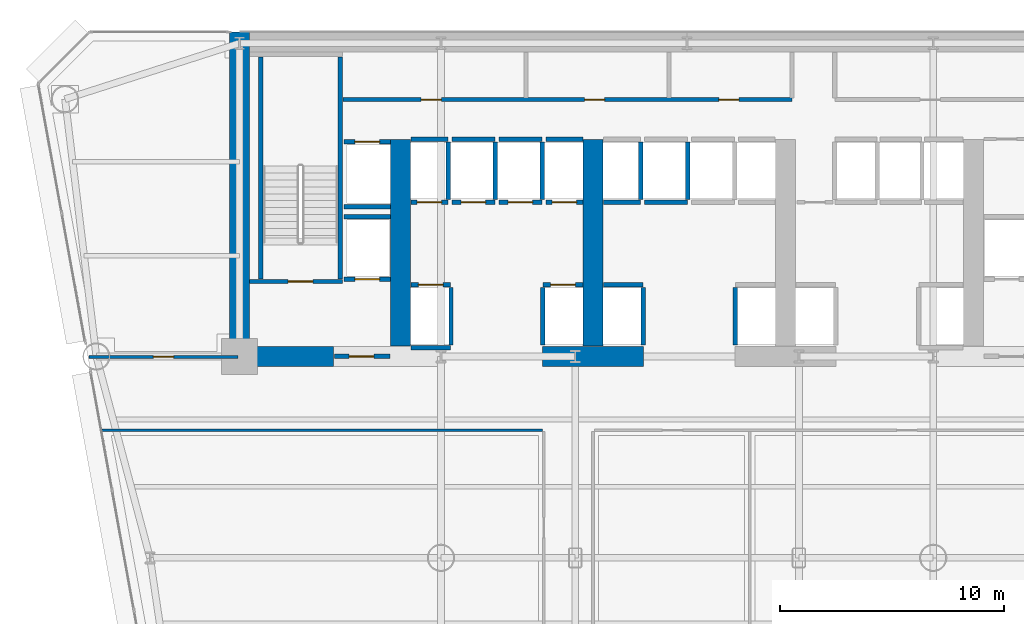
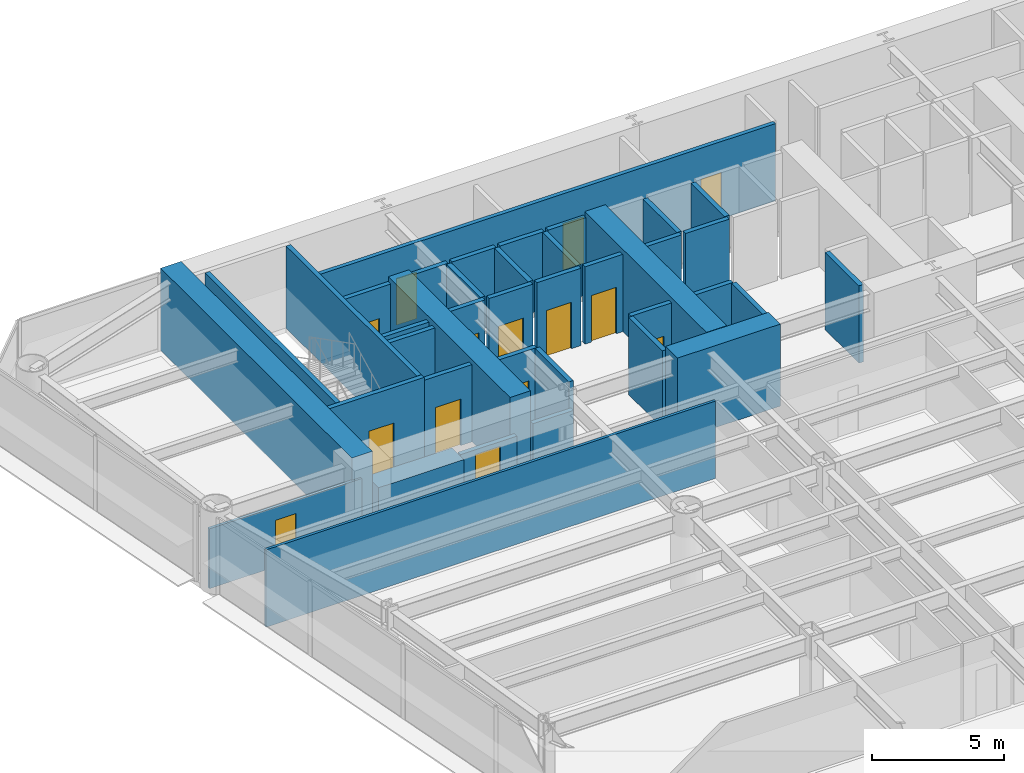
# One storey, part 8 of 14: 39 walls, 14 doors, 14 openings.
"""IFC4 building model written with IfcOpenShell, lengths in metres."""

import ifcopenshell
import ifcopenshell.guid

model = None  # the IFC model being written
_history = None  # IfcOwnerHistory: only IFC2X3 demands one
_inside = {}  # id of a spatial element -> (the spatial element, [elements in it])
_under = {}  # id of a project, library or spatial element -> (it, [spatial elements below it])
_declared = {}  # id of a project -> (the project, [libraries it declares])
_typed = {}  # id of a type object -> (the type object, [elements of that type])
_made_of = {}  # id of a material, layer set ... -> (it, [elements and type objects made of it])


def new_model(schema):
    """Start an empty IFC model of exactly this schema.

    Asked for "IFC4X3", IfcOpenShell would pick the latest addendum, in which some entities
    have other attributes; the version numbers below select the first issue.
    IFC2X3 requires an IfcOwnerHistory on every rooted entity: one is made here for all.
    """
    global model, _history
    if schema == "IFC4X3":
        model = ifcopenshell.file(schema_version=(4, 3, 0, 0))
    else:
        model = ifcopenshell.file(schema=schema)
    _inside.clear()
    _under.clear()
    _declared.clear()
    _typed.clear()
    _made_of.clear()
    _history = None
    if model.schema == "IFC2X3":
        org = make("IfcOrganization", Name="unknown")
        user = make(
            "IfcPersonAndOrganization",
            ThePerson=make("IfcPerson", FamilyName="unknown"),
            TheOrganization=org,
        )
        app = make(
            "IfcApplication",
            ApplicationDeveloper=org,
            Version="unknown",
            ApplicationFullName="unknown",
            ApplicationIdentifier="unknown",
        )
        _history = make(
            "IfcOwnerHistory",
            OwningUser=user,
            OwningApplication=app,
            ChangeAction="ADDED",
            CreationDate=0,
        )
    return model


def make(cls, **values):
    """One entity of the class cls with the attributes given. An attribute that is None is left unset."""
    return model.create_entity(
        cls, **{name: value for name, value in values.items() if value is not None}
    )


def rooted(cls, **values):
    """An entity with a GlobalId (a new one), such as an element, a storey or a relation."""
    return make(cls, GlobalId=ifcopenshell.guid.new(), OwnerHistory=_history, **values)


def si_unit(unit_type, name, prefix=None):
    """IfcSIUnit, for example si_unit("LENGTHUNIT", "METRE", prefix="MILLI")."""
    return make("IfcSIUnit", UnitType=unit_type, Prefix=prefix, Name=name)


def assignment(units):
    """IfcUnitAssignment: the units of a project."""
    return None if units is None else make("IfcUnitAssignment", Units=units)


def point(xyz):
    """IfcCartesianPoint."""
    return None if xyz is None else make("IfcCartesianPoint", Coordinates=xyz)


def direction(xyz):
    """IfcDirection."""
    return None if xyz is None else make("IfcDirection", DirectionRatios=xyz)


def frame(location, z_axis=None, x_axis=None):
    """IfcAxis2Placement3D, a coordinate frame: its origin and axes. An axis left out is left unset."""
    return make(
        "IfcAxis2Placement3D",
        Location=point(location),
        Axis=direction(z_axis),
        RefDirection=direction(x_axis),
    )


def frame_2d(location, x_axis=None):
    """IfcAxis2Placement2D, a coordinate frame in the plane: its origin and x axis."""
    return make(
        "IfcAxis2Placement2D", Location=point(location), RefDirection=direction(x_axis)
    )


def origin():
    """The frame at (0, 0, 0) with its axes left unset."""
    return frame((0.0, 0.0, 0.0))


def place(relative_to, where):
    """IfcLocalPlacement: puts the frame where relative to a parent placement (None: the world)."""
    return make(
        "IfcLocalPlacement", PlacementRelTo=relative_to, RelativePlacement=where
    )


def context(
    kind, dimensions, precision=None, world=None, true_north=None, identifier=None
):
    """IfcGeometricRepresentationContext, for example the 3D "Model" context."""
    return make(
        "IfcGeometricRepresentationContext",
        ContextIdentifier=identifier,
        ContextType=kind,
        CoordinateSpaceDimension=dimensions,
        Precision=precision,
        WorldCoordinateSystem=world,
        TrueNorth=true_north,
    )


def subcontext(parent, identifier, kind, view, scale=None):
    """IfcGeometricRepresentationSubContext, for example "Body" below "Model"."""
    return make(
        "IfcGeometricRepresentationSubContext",
        ContextIdentifier=identifier,
        ContextType=kind,
        ParentContext=parent,
        TargetScale=scale,
        TargetView=view,
    )


def project(units=None, contexts=None):
    """IfcProject with its units and contexts."""
    return rooted(
        "IfcProject",
        Name="project",
        RepresentationContexts=contexts,
        UnitsInContext=assignment(units),
    )


def spatial(cls, under=None, at=None, **own):
    """A site, building, storey or space (cls), placed at a placement, below another one or the project."""
    s = rooted(cls, ObjectPlacement=at, **own)
    if under is not None:
        _under.setdefault(under.id(), (under, []))[1].append(s)
    return s


def profile(cls, at=None, kind="AREA", **sizes):
    """A parametric profile (cls). Its sizes go by their IFC names, for example OverallWidth=200.0."""
    return make(cls, ProfileType=kind, Position=at, **sizes)


def rectangle(**sizes):
    """IfcRectangleProfileDef."""
    return profile("IfcRectangleProfileDef", **sizes)


def extrude(swept, where, along, depth):
    """IfcExtrudedAreaSolid: the profile swept, set in the frame where, extruded along a direction by depth."""
    return make(
        "IfcExtrudedAreaSolid",
        SweptArea=swept,
        Position=where,
        ExtrudedDirection=direction(along),
        Depth=depth,
    )


def shape(context_of_items, identifier, shape_type, items):
    """IfcShapeRepresentation: the items that make up one representation, for example the "Body"."""
    return make(
        "IfcShapeRepresentation",
        ContextOfItems=context_of_items,
        RepresentationIdentifier=identifier,
        RepresentationType=shape_type,
        Items=items,
    )


def source(mapping_origin, context_of_items, identifier, shape_type, items):
    """IfcRepresentationMap: a shape defined once, which mapped items show again and again."""
    return make(
        "IfcRepresentationMap",
        MappingOrigin=mapping_origin,
        MappedRepresentation=shape(context_of_items, identifier, shape_type, items),
    )


def transform(
    local_origin,
    x_axis=None,
    y_axis=None,
    z_axis=None,
    scale=None,
    scale2=None,
    scale3=None,
    uniform=True,
):
    """IfcCartesianTransformationOperator3D, or its non-uniform kind. x_axis, y_axis, z_axis: its Axis1, 2, 3."""
    if uniform:
        return make(
            "IfcCartesianTransformationOperator3D",
            Axis1=direction(x_axis),
            Axis2=direction(y_axis),
            LocalOrigin=point(local_origin),
            Scale=scale,
            Axis3=direction(z_axis),
        )
    return make(
        "IfcCartesianTransformationOperator3DnonUniform",
        Axis1=direction(x_axis),
        Axis2=direction(y_axis),
        LocalOrigin=point(local_origin),
        Scale=scale,
        Axis3=direction(z_axis),
        Scale2=scale2,
        Scale3=scale3,
    )


def mapped(mapping_source, mapping_target):
    """IfcMappedItem: shows the shape of a source again, moved by a transform."""
    return make(
        "IfcMappedItem", MappingSource=mapping_source, MappingTarget=mapping_target
    )


def material(Name=None, Category=None):
    """IfcMaterial."""
    return make("IfcMaterial", Name=Name, Category=Category)


def layer(
    of_material, thickness, ventilated=None, Name=None, Category=None, Priority=None
):
    """IfcMaterialLayer: one layer of a wall or slab, of a material (None: an air gap)."""
    return make(
        "IfcMaterialLayer",
        Material=of_material,
        LayerThickness=thickness,
        IsVentilated=ventilated,
        Name=Name,
        Category=Category,
        Priority=Priority,
    )


def layer_set(layers, Name=None):
    """IfcMaterialLayerSet."""
    return make("IfcMaterialLayerSet", MaterialLayers=layers, LayerSetName=Name)


def made_of(thing, what):
    """Note that an element or type object is made of a material, layer set ...; save() writes the relation."""
    if what is not None:
        _made_of.setdefault(what.id(), (what, []))[1].append(thing)
    return thing


def type_object(cls, material=None, **own):
    """A type object (cls), such as IfcWallType, which elements share."""
    return made_of(rooted(cls, **own), material)


def element(
    cls,
    number,
    at=None,
    inside=None,
    cuts=None,
    type_object=None,
    material=None,
    context=None,
    identifier="Body",
    shape_type=None,
    held_by="IfcProductDefinitionShape",
    body=None,
    shapes=None,
    **own,
):
    """One element of the class cls, such as IfcWall. Its Tag is "e" and its number.

    at: its placement. inside: the storey or other place that contains it. cuts: it is an
    opening in that element (IfcRelVoidsElement). A single representation is given by context,
    identifier, shape_type and body (its items); several are given by shapes. held_by: the class
    of the entity that holds the representations. save() writes the other relations.
    """
    e = rooted(cls, Tag="e%d" % number, ObjectPlacement=at, **own)
    if body is not None:
        shapes = [shape(context, identifier, shape_type, body)]
    if shapes is not None:
        e.Representation = make(held_by, Representations=shapes)
    if inside is not None:
        _inside.setdefault(inside.id(), (inside, []))[1].append(e)
    if cuts is not None:
        rooted(
            "IfcRelVoidsElement", RelatingBuildingElement=cuts, RelatedOpeningElement=e
        )
    if type_object is not None:
        _typed.setdefault(type_object.id(), (type_object, []))[1].append(e)
    return made_of(e, material)


def fill(opening, filler):
    """IfcRelFillsElement: the door or window that sits in an opening."""
    return rooted(
        "IfcRelFillsElement",
        RelatingOpeningElement=opening,
        RelatedBuildingElement=filler,
    )


def aggregate(whole, parts):
    """IfcRelAggregates: a whole, such as a stair, and the parts it consists of."""
    return rooted("IfcRelAggregates", RelatingObject=whole, RelatedObjects=parts)


def save(model, path):
    """Write the relations noted so far, then the file.

    IfcRelAggregates (storeys below a building ...), IfcRelContainedInSpatialStructure (elements
    in a storey), IfcRelDefinesByType, IfcRelAssociatesMaterial and IfcRelDeclares: one each for
    every whole, place, type object, material and project.
    """
    for whole, parts in _under.values():
        aggregate(whole, parts)
    for where, things in _inside.values():
        rooted(
            "IfcRelContainedInSpatialStructure",
            RelatedElements=things,
            RelatingStructure=where,
        )
    for kind, things in _typed.values():
        rooted("IfcRelDefinesByType", RelatedObjects=things, RelatingType=kind)
    for what, things in _made_of.values():
        rooted("IfcRelAssociatesMaterial", RelatedObjects=things, RelatingMaterial=what)
    for by, libraries in _declared.values():
        rooted("IfcRelDeclares", RelatingContext=by, RelatedDefinitions=libraries)
    model.write(path)


model = new_model("IFC4")

# Units and contexts
model_context = context("Model", 3, precision=1e-05, world=origin(), true_north=direction((0.0, 1.0)))
body_context = subcontext(model_context, "Body", "Model", "MODEL_VIEW")
ifc_project = project(units=[si_unit("LENGTHUNIT", "METRE"), si_unit("AREAUNIT", "SQUARE_METRE"), si_unit("VOLUMEUNIT", "CUBIC_METRE"), si_unit("PLANEANGLEUNIT", "RADIAN"), si_unit("MASSUNIT", "GRAM", prefix="KILO")], contexts=[model_context])

# Site, building, storey
site_placement = place(None, origin())
site = spatial("IfcSite", under=ifc_project, at=site_placement, CompositionType="ELEMENT")
building_placement = place(site_placement, origin())
building = spatial("IfcBuilding", under=site, at=building_placement, Name="Vaeldorn Concourse Tower", CompositionType="ELEMENT")
storey_placement = place(building_placement, frame((0.0, 0.0, 41.60009765625)))
storey = spatial("IfcBuildingStorey", under=building, at=storey_placement, Name="L10", CompositionType="ELEMENT", Elevation=41.60009765625)

# Walls
ifc_material_1 = material(Name="Concrete C60/75", Category="concrete")
ifc_layer_1 = layer(ifc_material_1, 0.89990234375)
ifc_layer_set_1 = layer_set([ifc_layer_1], Name="Concrete C60/75")
wall_type_1 = type_object("IfcWallType", Name="WL-CORE-900", PredefinedType="SHEAR", material=ifc_layer_set_1)
wall_1_placement = place(storey_placement, frame((14.0, 36.5, 0.0), z_axis=(0.0, 0.0, 1.0), x_axis=(0.0, 1.0, 0.0)))
element("IfcWall", 1, at=wall_1_placement, inside=storey, type_object=wall_type_1, Name="Rear Core Shear Wall L10 W1", PredefinedType="SHEAR", context=body_context, shape_type="SweptSolid", body=[
    extrude(rectangle(XDim=14.5, YDim=0.89990234375, at=frame_2d((7.25, 0.0))), origin(), (0.0, 0.0, 1.0), 3.7998046875),
])
wall_2_placement = place(storey_placement, frame((14.469970703125, 36.5, 0.0), z_axis=(0.0, 0.0, 1.0), x_axis=(1.0, 0.0, 0.0)))
element("IfcWall", 2, at=wall_2_placement, inside=storey, type_object=wall_type_1, Name="Rear Core Shear Wall L10 S1", PredefinedType="SHEAR", context=body_context, shape_type="SweptSolid", body=[
    extrude(rectangle(XDim=3.72998046875, YDim=0.89990234375, at=frame_2d((1.864990234375, 0.0))), origin(), (0.0, 0.0, 1.0), 2.3798828125),
])
wall_3_placement = place(storey_placement, frame((27.550048828125, 36.5, 0.0), z_axis=(0.0, 0.0, 1.0), x_axis=(1.0, 0.0, 0.0)))
element("IfcWall", 3, at=wall_3_placement, inside=storey, type_object=wall_type_1, Name="Rear Core Shear Wall L10 S2", PredefinedType="SHEAR", context=body_context, shape_type="SweptSolid", body=[
    extrude(rectangle(XDim=4.5, YDim=0.89990234375, at=frame_2d((2.25, 0.0))), origin(), (0.0, 0.0, 1.0), 3.7998046875),
])
for number, where, z_axis, x_axis, name in (
    (4, (21.199951171875, 36.969970703125, 0.0), (0.0, 0.0, 1.0), (0.0, 1.0, 0.0), "Rear Core Shear Wall L10 M1"),
    (5, (29.800048828125, 36.969970703125, 0.0), (0.0, 0.0, 1.0), (0.0, 1.0, 0.0), "Rear Core Shear Wall L10 M2"),
):
    element("IfcWall", number, at=place(storey_placement, frame(where, z_axis=z_axis, x_axis=x_axis)), inside=storey, type_object=wall_type_1, Name=name, PredefinedType="SHEAR", context=body_context, shape_type="SweptSolid", body=[
        extrude(rectangle(XDim=9.22998046875, YDim=0.89990234375, at=frame_2d((4.614990234375, 0.0))), origin(), (0.0, 0.0, 1.0), 3.7998046875),
    ])
ifc_material_2 = material(Name="Gypsum Board Partition", Category="gypsum")
ifc_layer_2 = layer(ifc_material_2, 0.1201171875)
ifc_layer_set_2 = layer_set([ifc_layer_2], Name="Gypsum Board Partition")
wall_type_2 = type_object("IfcWallType", Name="WL-PART-120", PredefinedType="PARTITIONING", material=ifc_layer_set_2)
wall_4_placement = place(storey_placement, frame((7.859130859375, 33.199951171875, 0.0), z_axis=(0.0, 0.0, 1.0), x_axis=(1.0, 0.0, 0.0)))
element("IfcWall", 6, at=wall_4_placement, inside=storey, type_object=wall_type_2, Name="Interior Wall PW-L10-C2SW", PredefinedType="PARTITIONING", context=body_context, shape_type="SweptSolid", body=[
    extrude(rectangle(XDim=19.680908203125, YDim=0.1201171875, at=frame_2d((9.84033203125, 0.0))), origin(), (0.0, 0.0, 1.0), 3.579833984375),
])

# Wall, opening, door
wall_5_placement = place(storey_placement, frame((7.26806640625, 36.47998046875, 0.0), z_axis=(0.0, 0.0, 1.0), x_axis=(1.0, 0.0, 0.0)))
wall_5 = element("IfcWall", 7, at=wall_5_placement, inside=storey, type_object=wall_type_2, Name="Interior Wall PW-L10-NWS", PredefinedType="PARTITIONING", context=body_context, shape_type="SweptSolid", body=[
    extrude(rectangle(XDim=6.671875, YDim=0.1201171875, at=frame_2d((3.3359375, 0.0))), origin(), (0.0, 0.0, 1.0), 2.77001953125),
])
opening_1_placement = place(wall_5_placement, frame((2.885986328125, 0.0, 0.0)))
opening_1 = element("IfcOpeningElement", 8, at=opening_1_placement, cuts=wall_5, Name="Opening D-03", PredefinedType="OPENING", context=body_context, shape_type="SweptSolid", body=[
    extrude(rectangle(XDim=0.89990234375, YDim=2.14990234375, at=frame_2d((0.449951171875, 1.074951171875))), frame((0.0, 0.070068359375, 0.0), z_axis=(0.0, -1.0, 0.0), x_axis=(1.0, 0.0, 0.0)), (0.0, 0.0, 1.0), 0.14013671875),
])
ifc_material_3 = material(Name="Acoustic Bronze-Framed Glass Door", Category="glass")
door_type_1 = type_object("IfcDoorType", Name="DR-INT-900", OperationType="NOTDEFINED", PredefinedType="DOOR", material=ifc_material_3)
shared_shape_1 = source(origin(), body_context, "Body", "SweptSolid", [
    extrude(rectangle(XDim=0.89990234375, YDim=2.14990234375, at=frame_2d((0.449951171875, 1.074951171875))), frame((0.0, 0.02490234375, 0.0), z_axis=(0.0, -1.0, 0.0), x_axis=(1.0, 0.0, 0.0)), (0.0, 0.0, 1.0), 0.050048828125),
])
door_1_placement = place(opening_1_placement, origin())
door_1 = element("IfcDoor", 9, at=door_1_placement, inside=storey, type_object=door_type_1, Name="Interior Door DR-L10-NWC", OperationType="SINGLE_SWING_LEFT", OverallHeight=2.14990234375, OverallWidth=0.89990234375, PredefinedType="DOOR", context=body_context, shape_type="MappedRepresentation", body=[
    mapped(shared_shape_1, transform((0.0, 0.0, 0.0), scale=1.0)),
])
fill(opening_1, door_1)

# Wall, openings, doors
ifc_layer_3 = layer(ifc_material_2, 0.179931640625)
ifc_layer_set_3 = layer_set([ifc_layer_3], Name="Gypsum Board Partition")
wall_type_3 = type_object("IfcWallType", Name="WL-PLUMB-180", PredefinedType="PLUMBINGWALL", material=ifc_layer_set_3)
wall_6_placement = place(storey_placement, frame((18.6201171875, 47.97998046875, 0.0), z_axis=(0.0, 0.0, 1.0), x_axis=(1.0, 0.0, 0.0)))
wall_6 = element("IfcWall", 10, at=wall_6_placement, inside=storey, type_object=wall_type_3, Name="Interior Wall CW-L10-NS1W", PredefinedType="PLUMBINGWALL", context=body_context, shape_type="SweptSolid", body=[
    extrude(rectangle(XDim=20.059814453125, YDim=0.179931640625, at=frame_2d((10.02978515625, 0.0))), origin(), (0.0, 0.0, 1.0), 3.579833984375),
])
opening_2_placement = place(wall_6_placement, frame((3.5, 0.0, 0.0)))
opening_2 = element("IfcOpeningElement", 11, at=opening_2_placement, cuts=wall_6, Name="Opening D-03", PredefinedType="OPENING", context=body_context, shape_type="SweptSolid", body=[
    extrude(rectangle(XDim=0.89990234375, YDim=2.14990234375, at=frame_2d((0.449951171875, 1.074951171875))), frame((0.0, 0.10009765625, 0.0), z_axis=(0.0, -1.0, 0.0), x_axis=(1.0, 0.0, 0.0)), (0.0, 0.0, 1.0), 0.199951171875),
])
opening_3_placement = place(wall_6_placement, frame((10.800048828125, 0.0, 0.0)))
opening_3 = element("IfcOpeningElement", 12, at=opening_3_placement, cuts=wall_6, Name="Opening D-03", PredefinedType="OPENING", context=body_context, shape_type="SweptSolid", body=[
    extrude(rectangle(XDim=0.89990234375, YDim=2.14990234375, at=frame_2d((0.449951171875, 1.074951171875))), frame((0.0, 0.10009765625, 0.0), z_axis=(0.0, -1.0, 0.0), x_axis=(1.0, 0.0, 0.0)), (0.0, 0.0, 1.0), 0.199951171875),
])
opening_4_placement = place(wall_6_placement, frame((16.800048828125, 0.0, 0.0)))
opening_4 = element("IfcOpeningElement", 13, at=opening_4_placement, cuts=wall_6, Name="Opening D-03", PredefinedType="OPENING", context=body_context, shape_type="SweptSolid", body=[
    extrude(rectangle(XDim=0.89990234375, YDim=2.14990234375, at=frame_2d((0.449951171875, 1.074951171875))), frame((0.0, 0.10009765625, 0.0), z_axis=(0.0, -1.0, 0.0), x_axis=(1.0, 0.0, 0.0)), (0.0, 0.0, 1.0), 0.199951171875),
])
door_2_placement = place(opening_2_placement, origin())
door_2 = element("IfcDoor", 14, at=door_2_placement, inside=storey, type_object=door_type_1, Name="Interior Door DR-L10-CS1", OperationType="SINGLE_SWING_LEFT", OverallHeight=2.14990234375, OverallWidth=0.89990234375, PredefinedType="DOOR", context=body_context, shape_type="MappedRepresentation", body=[
    mapped(shared_shape_1, transform((0.0, 0.0, 0.0), scale=1.0)),
])
fill(opening_2, door_2)
door_3_placement = place(opening_3_placement, origin())
door_3 = element("IfcDoor", 15, at=door_3_placement, inside=storey, type_object=door_type_1, Name="Interior Door DR-L10-CS2", OperationType="SINGLE_SWING_RIGHT", OverallHeight=2.14990234375, OverallWidth=0.89990234375, PredefinedType="DOOR", context=body_context, shape_type="MappedRepresentation", body=[
    mapped(shared_shape_1, transform((0.0, 0.0, 0.0), scale=1.0)),
])
fill(opening_3, door_3)
door_4_placement = place(opening_4_placement, origin())
door_4 = element("IfcDoor", 16, at=door_4_placement, inside=storey, type_object=door_type_1, Name="Interior Door DR-L10-CS3", OperationType="SINGLE_SWING_LEFT", OverallHeight=2.14990234375, OverallWidth=0.89990234375, PredefinedType="DOOR", context=body_context, shape_type="MappedRepresentation", body=[
    mapped(shared_shape_1, transform((0.0, 0.0, 0.0), scale=1.0)),
])
fill(opening_4, door_4)

# Wall, opening, door
ifc_material_4 = material(Name="Concrete C50/60", Category="concrete")
ifc_layer_4 = layer(ifc_material_4, 0.199951171875)
ifc_layer_set_4 = layer_set([ifc_layer_4], Name="Concrete C50/60")
wall_type_4 = type_object("IfcWallType", Name="WL-SHAFT-200", PredefinedType="SOLIDWALL", material=ifc_layer_set_4)
wall_7_placement = place(storey_placement, frame((14.449951171875, 39.85009765625, 0.0), z_axis=(0.0, 0.0, 1.0), x_axis=(1.0, 0.0, 0.0)))
wall_7 = element("IfcWall", 17, at=wall_7_placement, inside=storey, type_object=wall_type_4, Name="Stair Shaft Wall CW-L10-ST-1-S", PredefinedType="SOLIDWALL", context=body_context, shape_type="SweptSolid", body=[
    extrude(rectangle(XDim=4.150146484375, YDim=0.199951171875, at=frame_2d((2.0751953125, 0.0))), origin(), (0.0, 0.0, 1.0), 3.7998046875),
])
opening_5_placement = place(wall_7_placement, frame((1.72509765625, 0.0, 0.0)))
opening_5 = element("IfcOpeningElement", 18, at=opening_5_placement, cuts=wall_7, Name="Opening D-01", PredefinedType="OPENING", context=body_context, shape_type="SweptSolid", body=[
    extrude(rectangle(XDim=1.10009765625, YDim=2.14990234375, at=frame_2d((0.550048828125, 1.074951171875))), frame((0.0, 0.10986328125, 0.0), z_axis=(0.0, -1.0, 0.0), x_axis=(1.0, 0.0, 0.0)), (0.0, 0.0, 1.0), 0.219970703125),
])
ifc_material_5 = material(Name="Fire-Rated Timber and Steel Leaf", Category="steel")
door_type_2 = type_object("IfcDoorType", Name="DR-FD60-1100", OperationType="NOTDEFINED", PredefinedType="DOOR", material=ifc_material_5)
shared_shape_2 = source(origin(), body_context, "Body", "SweptSolid", [
    extrude(rectangle(XDim=1.10009765625, YDim=2.14990234375, at=frame_2d((0.550048828125, 1.074951171875))), frame((0.0, 0.02490234375, 0.0), z_axis=(0.0, -1.0, 0.0), x_axis=(1.0, 0.0, 0.0)), (0.0, 0.0, 1.0), 0.050048828125),
])
door_5_placement = place(opening_5_placement, origin())
door_5 = element("IfcDoor", 19, at=door_5_placement, inside=storey, type_object=door_type_2, Name="Interior Door DR-L10-ST-1", OperationType="SINGLE_SWING_LEFT", OverallHeight=2.14990234375, OverallWidth=1.10009765625, PredefinedType="DOOR", context=body_context, shape_type="MappedRepresentation", body=[
    mapped(shared_shape_2, transform((0.0, 0.0, 0.0), scale=1.0)),
])
fill(opening_5, door_5)

# Walls
for number, where, z_axis, x_axis, name in (
    (20, (14.949951171875, 39.9599609375, 0.0), (0.0, 0.0, 1.0), (0.0, 1.0, 0.0), "Stair Shaft Wall CW-L10-ST-1-W"),
    (21, (18.5, 39.9599609375, 0.0), (0.0, 0.0, 1.0), (0.0, 1.0, 0.0), "Stair Shaft Wall CW-L10-ST-1-E"),
):
    element("IfcWall", number, at=place(storey_placement, frame(where, z_axis=z_axis, x_axis=x_axis)), inside=storey, type_object=wall_type_4, Name=name, PredefinedType="SOLIDWALL", context=body_context, shape_type="SweptSolid", body=[
        extrude(rectangle(XDim=9.929931640625, YDim=0.199951171875, at=frame_2d((4.96484375, 0.0))), origin(), (0.0, 0.0, 1.0), 3.7998046875),
    ])

# Wall, opening, door
wall_8_placement = place(storey_placement, frame((18.25, 36.5, 0.0), z_axis=(0.0, 0.0, 1.0), x_axis=(1.0, 0.0, 0.0)))
wall_8 = element("IfcWall", 22, at=wall_8_placement, inside=storey, type_object=wall_type_4, Name="Interior Wall CW-L10-FF1S", PredefinedType="SOLIDWALL", context=body_context, shape_type="SweptSolid", body=[
    extrude(rectangle(XDim=2.469970703125, YDim=0.199951171875, at=frame_2d((1.23486328125, 0.0))), origin(), (0.0, 0.0, 1.0), 2.369873046875),
])
opening_6_placement = place(wall_8_placement, frame((0.64990234375, 0.0, 0.0)))
opening_6 = element("IfcOpeningElement", 23, at=opening_6_placement, cuts=wall_8, Name="Opening D-01", PredefinedType="OPENING", context=body_context, shape_type="SweptSolid", body=[
    extrude(rectangle(XDim=1.10009765625, YDim=2.14990234375, at=frame_2d((0.550048828125, 1.074951171875))), frame((0.0, 0.10986328125, 0.0), z_axis=(0.0, -1.0, 0.0), x_axis=(1.0, 0.0, 0.0)), (0.0, 0.0, 1.0), 0.219970703125),
])
door_6_placement = place(opening_6_placement, origin())
door_6 = element("IfcDoor", 24, at=door_6_placement, inside=storey, type_object=door_type_2, Name="Interior Door DR-L10-FF1E", OperationType="SINGLE_SWING_RIGHT", OverallHeight=2.14990234375, OverallWidth=1.10009765625, PredefinedType="DOOR", context=body_context, shape_type="MappedRepresentation", body=[
    mapped(shared_shape_2, transform((0.0, 0.0, 0.0), scale=1.0)),
])
fill(opening_6, door_6)

wall_9_placement = place(storey_placement, frame((21.659912109375, 39.699951171875, 0.0), z_axis=(0.0, 0.0, 1.0), x_axis=(1.0, 0.0, 0.0)))
wall_9 = element("IfcWall", 25, at=wall_9_placement, inside=storey, type_object=wall_type_4, Name="Interior Wall CW-L10-LF-LF-01", PredefinedType="SOLIDWALL", context=body_context, shape_type="SweptSolid", body=[
    extrude(rectangle(XDim=1.77001953125, YDim=0.199951171875, at=frame_2d((0.885009765625, 0.0))), origin(), (0.0, 0.0, 1.0), 3.579833984375),
])
opening_7_placement = place(wall_9_placement, frame((0.3349609375, 0.0, 0.0)))
opening_7 = element("IfcOpeningElement", 26, at=opening_7_placement, cuts=wall_9, Name="Opening LD-1", PredefinedType="OPENING", context=body_context, shape_type="SweptSolid", body=[
    extrude(rectangle(XDim=1.10009765625, YDim=2.14990234375, at=frame_2d((0.550048828125, 1.074951171875))), frame((0.0, 0.10986328125, 0.0), z_axis=(0.0, -1.0, 0.0), x_axis=(1.0, 0.0, 0.0)), (0.0, 0.0, 1.0), 0.219970703125),
])
ifc_material_6 = material(Name="Anodised Bronze Aluminium", Category="aluminium")
door_type_3 = type_object("IfcDoorType", Name="DR-LIFT-SLIDE-1100", OperationType="DOUBLE_DOOR_SLIDING", PredefinedType="DOOR", material=ifc_material_6)
door_7_placement = place(opening_7_placement, origin())
door_7 = element("IfcDoor", 27, at=door_7_placement, inside=storey, type_object=door_type_3, Name="Lift Landing Door LD-L10-LF-01", OperationType="DOUBLE_DOOR_SLIDING", OverallHeight=2.14990234375, OverallWidth=1.10009765625, PredefinedType="DOOR", context=body_context, shape_type="MappedRepresentation", body=[
    mapped(shared_shape_2, transform((0.0, 0.0, 0.0), scale=1.0)),
])
fill(opening_7, door_7)

# Walls
wall_10_placement = place(storey_placement, frame((21.659912109375, 36.89990234375, 0.0), z_axis=(0.0, 0.0, 1.0), x_axis=(1.0, 0.0, 0.0)))
element("IfcWall", 28, at=wall_10_placement, inside=storey, type_object=wall_type_4, Name="Interior Wall CW-L10-LFB-LF-01", PredefinedType="SOLIDWALL", context=body_context, shape_type="SweptSolid", body=[
    extrude(rectangle(XDim=1.77001953125, YDim=0.199951171875, at=frame_2d((0.885009765625, 0.0))), origin(), (0.0, 0.0, 1.0), 2.369873046875),
])
wall_11_placement = place(storey_placement, frame((23.449951171875, 37.02001953125, 0.0), z_axis=(0.0, 0.0, 1.0), x_axis=(0.0, 1.0, 0.0)))
element("IfcWall", 29, at=wall_11_placement, inside=storey, type_object=wall_type_4, Name="Interior Wall CW-L10-LFE-LF-01", PredefinedType="SOLIDWALL", context=body_context, shape_type="SweptSolid", body=[
    extrude(rectangle(XDim=2.56005859375, YDim=0.199951171875, at=frame_2d((1.280029296875, 0.0))), origin(), (0.0, 0.0, 1.0), 3.579833984375),
])

# Wall, opening, door
wall_12_placement = place(storey_placement, frame((27.570068359375, 39.699951171875, 0.0), z_axis=(0.0, 0.0, 1.0), x_axis=(1.0, 0.0, 0.0)))
wall_12 = element("IfcWall", 30, at=wall_12_placement, inside=storey, type_object=wall_type_4, Name="Interior Wall CW-L10-LF-LF-02", PredefinedType="SOLIDWALL", context=body_context, shape_type="SweptSolid", body=[
    extrude(rectangle(XDim=1.77001953125, YDim=0.199951171875, at=frame_2d((0.885009765625, 0.0))), origin(), (0.0, 0.0, 1.0), 3.579833984375),
])
opening_8_placement = place(wall_12_placement, frame((0.3349609375, 0.0, 0.0)))
opening_8 = element("IfcOpeningElement", 31, at=opening_8_placement, cuts=wall_12, Name="Opening LD-1", PredefinedType="OPENING", context=body_context, shape_type="SweptSolid", body=[
    extrude(rectangle(XDim=1.10009765625, YDim=2.14990234375, at=frame_2d((0.550048828125, 1.074951171875))), frame((0.0, 0.10986328125, 0.0), z_axis=(0.0, -1.0, 0.0), x_axis=(1.0, 0.0, 0.0)), (0.0, 0.0, 1.0), 0.219970703125),
])
door_8_placement = place(opening_8_placement, origin())
door_8 = element("IfcDoor", 32, at=door_8_placement, inside=storey, type_object=door_type_3, Name="Lift Landing Door LD-L10-LF-02", OperationType="DOUBLE_DOOR_SLIDING", OverallHeight=2.14990234375, OverallWidth=1.10009765625, PredefinedType="DOOR", context=body_context, shape_type="MappedRepresentation", body=[
    mapped(shared_shape_2, transform((0.0, 0.0, 0.0), scale=1.0)),
])
fill(opening_8, door_8)

# Wall
wall_13_placement = place(storey_placement, frame((27.550048828125, 37.02001953125, 0.0), z_axis=(0.0, 0.0, 1.0), x_axis=(0.0, 1.0, 0.0)))
element("IfcWall", 33, at=wall_13_placement, inside=storey, type_object=wall_type_4, Name="Interior Wall CW-L10-LFW-LF-02", PredefinedType="SOLIDWALL", context=body_context, shape_type="SweptSolid", body=[
    extrude(rectangle(XDim=2.56005859375, YDim=0.199951171875, at=frame_2d((1.280029296875, 0.0))), origin(), (0.0, 0.0, 1.0), 3.579833984375),
])

# Wall, opening, door
wall_14_placement = place(storey_placement, frame((21.659912109375, 43.39990234375, 0.0), z_axis=(0.0, 0.0, 1.0), x_axis=(1.0, 0.0, 0.0)))
wall_14 = element("IfcWall", 34, at=wall_14_placement, inside=storey, type_object=wall_type_4, Name="Interior Wall CW-L10-LF-LF-03", PredefinedType="SOLIDWALL", context=body_context, shape_type="SweptSolid", body=[
    extrude(rectangle(XDim=1.650146484375, YDim=0.199951171875, at=frame_2d((0.8251953125, 0.0))), origin(), (0.0, 0.0, 1.0), 3.579833984375),
])
opening_9_placement = place(wall_14_placement, frame((0.27490234375, 0.0, 0.0)))
opening_9 = element("IfcOpeningElement", 35, at=opening_9_placement, cuts=wall_14, Name="Opening LD-1", PredefinedType="OPENING", context=body_context, shape_type="SweptSolid", body=[
    extrude(rectangle(XDim=1.10009765625, YDim=2.14990234375, at=frame_2d((0.550048828125, 1.074951171875))), frame((0.0, 0.10986328125, 0.0), z_axis=(0.0, -1.0, 0.0), x_axis=(1.0, 0.0, 0.0)), (0.0, 0.0, 1.0), 0.219970703125),
])
door_9_placement = place(opening_9_placement, origin())
door_9 = element("IfcDoor", 36, at=door_9_placement, inside=storey, type_object=door_type_3, Name="Lift Landing Door LD-L10-LF-03", OperationType="DOUBLE_DOOR_SLIDING", OverallHeight=2.14990234375, OverallWidth=1.10009765625, PredefinedType="DOOR", context=body_context, shape_type="MappedRepresentation", body=[
    mapped(shared_shape_2, transform((0.0, 0.0, 0.0), scale=1.0)),
])
fill(opening_9, door_9)

# Walls
wall_15_placement = place(storey_placement, frame((21.659912109375, 46.199951171875, 0.0), z_axis=(0.0, 0.0, 1.0), x_axis=(1.0, 0.0, 0.0)))
element("IfcWall", 37, at=wall_15_placement, inside=storey, type_object=wall_type_4, Name="Interior Wall CW-L10-LFB-LF-03", PredefinedType="SOLIDWALL", context=body_context, shape_type="SweptSolid", body=[
    extrude(rectangle(XDim=1.650146484375, YDim=0.199951171875, at=frame_2d((0.8251953125, 0.0))), origin(), (0.0, 0.0, 1.0), 3.579833984375),
])
wall_16_placement = place(storey_placement, frame((23.330078125, 43.52001953125, 0.0), z_axis=(0.0, 0.0, 1.0), x_axis=(0.0, 1.0, 0.0)))
element("IfcWall", 38, at=wall_16_placement, inside=storey, type_object=wall_type_4, Name="Interior Wall CW-L10-LFE-LF-03", PredefinedType="SOLIDWALL", context=body_context, shape_type="SweptSolid", body=[
    extrude(rectangle(XDim=2.56005859375, YDim=0.199951171875, at=frame_2d((1.280029296875, 0.0))), origin(), (0.0, 0.0, 1.0), 3.579833984375),
])

# Wall, opening, door
wall_17_placement = place(storey_placement, frame((23.489990234375, 43.39990234375, 0.0), z_axis=(0.0, 0.0, 1.0), x_axis=(1.0, 0.0, 0.0)))
wall_17 = element("IfcWall", 39, at=wall_17_placement, inside=storey, type_object=wall_type_4, Name="Interior Wall CW-L10-LF-LF-04", PredefinedType="SOLIDWALL", context=body_context, shape_type="SweptSolid", body=[
    extrude(rectangle(XDim=1.919921875, YDim=0.199951171875, at=frame_2d((0.9599609375, 0.0))), origin(), (0.0, 0.0, 1.0), 3.579833984375),
])
opening_10_placement = place(wall_17_placement, frame((0.409912109375, 0.0, 0.0)))
opening_10 = element("IfcOpeningElement", 40, at=opening_10_placement, cuts=wall_17, Name="Opening LD-1", PredefinedType="OPENING", context=body_context, shape_type="SweptSolid", body=[
    extrude(rectangle(XDim=1.10009765625, YDim=2.14990234375, at=frame_2d((0.550048828125, 1.074951171875))), frame((0.0, 0.10986328125, 0.0), z_axis=(0.0, -1.0, 0.0), x_axis=(1.0, 0.0, 0.0)), (0.0, 0.0, 1.0), 0.219970703125),
])
door_10_placement = place(opening_10_placement, origin())
door_10 = element("IfcDoor", 41, at=door_10_placement, inside=storey, type_object=door_type_3, Name="Lift Landing Door LD-L10-LF-04", OperationType="DOUBLE_DOOR_SLIDING", OverallHeight=2.14990234375, OverallWidth=1.10009765625, PredefinedType="DOOR", context=body_context, shape_type="MappedRepresentation", body=[
    mapped(shared_shape_2, transform((0.0, 0.0, 0.0), scale=1.0)),
])
fill(opening_10, door_10)

# Walls
wall_18_placement = place(storey_placement, frame((23.489990234375, 46.199951171875, 0.0), z_axis=(0.0, 0.0, 1.0), x_axis=(1.0, 0.0, 0.0)))
element("IfcWall", 42, at=wall_18_placement, inside=storey, type_object=wall_type_4, Name="Interior Wall CW-L10-LFB-LF-04", PredefinedType="SOLIDWALL", context=body_context, shape_type="SweptSolid", body=[
    extrude(rectangle(XDim=1.919921875, YDim=0.199951171875, at=frame_2d((0.9599609375, 0.0))), origin(), (0.0, 0.0, 1.0), 3.579833984375),
])
wall_19_placement = place(storey_placement, frame((25.429931640625, 43.52001953125, 0.0), z_axis=(0.0, 0.0, 1.0), x_axis=(0.0, 1.0, 0.0)))
element("IfcWall", 43, at=wall_19_placement, inside=storey, type_object=wall_type_4, Name="Interior Wall CW-L10-LFE-LF-04", PredefinedType="SOLIDWALL", context=body_context, shape_type="SweptSolid", body=[
    extrude(rectangle(XDim=2.56005859375, YDim=0.199951171875, at=frame_2d((1.280029296875, 0.0))), origin(), (0.0, 0.0, 1.0), 3.579833984375),
])

# Wall, opening, door
wall_20_placement = place(storey_placement, frame((25.590087890625, 43.39990234375, 0.0), z_axis=(0.0, 0.0, 1.0), x_axis=(1.0, 0.0, 0.0)))
wall_20 = element("IfcWall", 44, at=wall_20_placement, inside=storey, type_object=wall_type_4, Name="Interior Wall CW-L10-LF-LF-05", PredefinedType="SOLIDWALL", context=body_context, shape_type="SweptSolid", body=[
    extrude(rectangle(XDim=1.919921875, YDim=0.199951171875, at=frame_2d((0.9599609375, 0.0))), origin(), (0.0, 0.0, 1.0), 3.579833984375),
])
opening_11_placement = place(wall_20_placement, frame((0.409912109375, 0.0, 0.0)))
opening_11 = element("IfcOpeningElement", 45, at=opening_11_placement, cuts=wall_20, Name="Opening LD-1", PredefinedType="OPENING", context=body_context, shape_type="SweptSolid", body=[
    extrude(rectangle(XDim=1.10009765625, YDim=2.14990234375, at=frame_2d((0.550048828125, 1.074951171875))), frame((0.0, 0.10986328125, 0.0), z_axis=(0.0, -1.0, 0.0), x_axis=(1.0, 0.0, 0.0)), (0.0, 0.0, 1.0), 0.219970703125),
])
door_11_placement = place(opening_11_placement, origin())
door_11 = element("IfcDoor", 46, at=door_11_placement, inside=storey, type_object=door_type_3, Name="Lift Landing Door LD-L10-LF-05", OperationType="DOUBLE_DOOR_SLIDING", OverallHeight=2.14990234375, OverallWidth=1.10009765625, PredefinedType="DOOR", context=body_context, shape_type="MappedRepresentation", body=[
    mapped(shared_shape_2, transform((0.0, 0.0, 0.0), scale=1.0)),
])
fill(opening_11, door_11)

# Walls
wall_21_placement = place(storey_placement, frame((25.590087890625, 46.199951171875, 0.0), z_axis=(0.0, 0.0, 1.0), x_axis=(1.0, 0.0, 0.0)))
element("IfcWall", 47, at=wall_21_placement, inside=storey, type_object=wall_type_4, Name="Interior Wall CW-L10-LFB-LF-05", PredefinedType="SOLIDWALL", context=body_context, shape_type="SweptSolid", body=[
    extrude(rectangle(XDim=1.919921875, YDim=0.199951171875, at=frame_2d((0.9599609375, 0.0))), origin(), (0.0, 0.0, 1.0), 3.579833984375),
])
wall_22_placement = place(storey_placement, frame((27.530029296875, 43.52001953125, 0.0), z_axis=(0.0, 0.0, 1.0), x_axis=(0.0, 1.0, 0.0)))
element("IfcWall", 48, at=wall_22_placement, inside=storey, type_object=wall_type_4, Name="Interior Wall CW-L10-LFE-LF-05", PredefinedType="SOLIDWALL", context=body_context, shape_type="SweptSolid", body=[
    extrude(rectangle(XDim=2.56005859375, YDim=0.199951171875, at=frame_2d((1.280029296875, 0.0))), origin(), (0.0, 0.0, 1.0), 3.579833984375),
])

# Wall, opening, door
wall_23_placement = place(storey_placement, frame((27.68994140625, 43.39990234375, 0.0), z_axis=(0.0, 0.0, 1.0), x_axis=(1.0, 0.0, 0.0)))
wall_23 = element("IfcWall", 49, at=wall_23_placement, inside=storey, type_object=wall_type_4, Name="Interior Wall CW-L10-LF-LF-06", PredefinedType="SOLIDWALL", context=body_context, shape_type="SweptSolid", body=[
    extrude(rectangle(XDim=1.650146484375, YDim=0.199951171875, at=frame_2d((0.8251953125, 0.0))), origin(), (0.0, 0.0, 1.0), 3.579833984375),
])
opening_12_placement = place(wall_23_placement, frame((0.27490234375, 0.0, 0.0)))
opening_12 = element("IfcOpeningElement", 50, at=opening_12_placement, cuts=wall_23, Name="Opening LD-1", PredefinedType="OPENING", context=body_context, shape_type="SweptSolid", body=[
    extrude(rectangle(XDim=1.10009765625, YDim=2.14990234375, at=frame_2d((0.550048828125, 1.074951171875))), frame((0.0, 0.10986328125, 0.0), z_axis=(0.0, -1.0, 0.0), x_axis=(1.0, 0.0, 0.0)), (0.0, 0.0, 1.0), 0.219970703125),
])
door_12_placement = place(opening_12_placement, origin())
door_12 = element("IfcDoor", 51, at=door_12_placement, inside=storey, type_object=door_type_3, Name="Lift Landing Door LD-L10-LF-06", OperationType="DOUBLE_DOOR_SLIDING", OverallHeight=2.14990234375, OverallWidth=1.10009765625, PredefinedType="DOOR", context=body_context, shape_type="MappedRepresentation", body=[
    mapped(shared_shape_2, transform((0.0, 0.0, 0.0), scale=1.0)),
])
fill(opening_12, door_12)

# Walls
wall_24_placement = place(storey_placement, frame((27.68994140625, 46.199951171875, 0.0), z_axis=(0.0, 0.0, 1.0), x_axis=(1.0, 0.0, 0.0)))
element("IfcWall", 52, at=wall_24_placement, inside=storey, type_object=wall_type_4, Name="Interior Wall CW-L10-LFB-LF-06", PredefinedType="SOLIDWALL", context=body_context, shape_type="SweptSolid", body=[
    extrude(rectangle(XDim=1.650146484375, YDim=0.199951171875, at=frame_2d((0.8251953125, 0.0))), origin(), (0.0, 0.0, 1.0), 3.579833984375),
])
wall_25_placement = place(storey_placement, frame((30.260009765625, 39.699951171875, 0.0), z_axis=(0.0, 0.0, 1.0), x_axis=(1.0, 0.0, 0.0)))
element("IfcWall", 53, at=wall_25_placement, inside=storey, type_object=wall_type_4, Name="Interior Wall CW-L10-LF-LF-07", PredefinedType="SOLIDWALL", context=body_context, shape_type="SweptSolid", body=[
    extrude(rectangle(XDim=1.77001953125, YDim=0.199951171875, at=frame_2d((0.885009765625, 0.0))), origin(), (0.0, 0.0, 1.0), 3.579833984375),
])
for number, where, z_axis, x_axis, name in (
    (54, (32.050048828125, 37.02001953125, 0.0), (0.0, 0.0, 1.0), (0.0, 1.0, 0.0), "Interior Wall CW-L10-LFE-LF-07"),
    (55, (36.14990234375, 37.02001953125, 0.0), (0.0, 0.0, 1.0), (0.0, 1.0, 0.0), "Interior Wall CW-L10-LFW-LF-08"),
):
    element("IfcWall", number, at=place(storey_placement, frame(where, z_axis=z_axis, x_axis=x_axis)), inside=storey, type_object=wall_type_4, Name=name, PredefinedType="SOLIDWALL", context=body_context, shape_type="SweptSolid", body=[
        extrude(rectangle(XDim=2.56005859375, YDim=0.199951171875, at=frame_2d((1.280029296875, 0.0))), origin(), (0.0, 0.0, 1.0), 3.579833984375),
    ])
wall_26_placement = place(storey_placement, frame((30.260009765625, 43.39990234375, 0.0), z_axis=(0.0, 0.0, 1.0), x_axis=(1.0, 0.0, 0.0)))
element("IfcWall", 56, at=wall_26_placement, inside=storey, type_object=wall_type_4, Name="Interior Wall CW-L10-LF-LF-09", PredefinedType="SOLIDWALL", context=body_context, shape_type="SweptSolid", body=[
    extrude(rectangle(XDim=1.64990234375, YDim=0.199951171875, at=frame_2d((0.824951171875, 0.0))), origin(), (0.0, 0.0, 1.0), 3.579833984375),
])
wall_27_placement = place(storey_placement, frame((31.929931640625, 43.52001953125, 0.0), z_axis=(0.0, 0.0, 1.0), x_axis=(0.0, 1.0, 0.0)))
element("IfcWall", 57, at=wall_27_placement, inside=storey, type_object=wall_type_4, Name="Interior Wall CW-L10-LFE-LF-09", PredefinedType="SOLIDWALL", context=body_context, shape_type="SweptSolid", body=[
    extrude(rectangle(XDim=2.56005859375, YDim=0.199951171875, at=frame_2d((1.280029296875, 0.0))), origin(), (0.0, 0.0, 1.0), 3.579833984375),
])
wall_28_placement = place(storey_placement, frame((32.090087890625, 43.39990234375, 0.0), z_axis=(0.0, 0.0, 1.0), x_axis=(1.0, 0.0, 0.0)))
element("IfcWall", 58, at=wall_28_placement, inside=storey, type_object=wall_type_4, Name="Interior Wall CW-L10-LF-LF-10", PredefinedType="SOLIDWALL", context=body_context, shape_type="SweptSolid", body=[
    extrude(rectangle(XDim=1.919921875, YDim=0.199951171875, at=frame_2d((0.9599609375, 0.0))), origin(), (0.0, 0.0, 1.0), 3.579833984375),
])
wall_29_placement = place(storey_placement, frame((34.030029296875, 43.52001953125, 0.0), z_axis=(0.0, 0.0, 1.0), x_axis=(0.0, 1.0, 0.0)))
element("IfcWall", 59, at=wall_29_placement, inside=storey, type_object=wall_type_4, Name="Interior Wall CW-L10-LFE-LF-10", PredefinedType="SOLIDWALL", context=body_context, shape_type="SweptSolid", body=[
    extrude(rectangle(XDim=2.56005859375, YDim=0.199951171875, at=frame_2d((1.280029296875, 0.0))), origin(), (0.0, 0.0, 1.0), 3.579833984375),
])

# Wall, opening, door
wall_30_placement = place(storey_placement, frame((18.669921875, 46.10009765625, 0.0), z_axis=(0.0, 0.0, 1.0), x_axis=(1.0, 0.0, 0.0)))
wall_30 = element("IfcWall", 60, at=wall_30_placement, inside=storey, type_object=wall_type_4, Name="Interior Wall CW-L10-LF-LF-SV1", PredefinedType="SOLIDWALL", context=body_context, shape_type="SweptSolid", body=[
    extrude(rectangle(XDim=2.070068359375, YDim=0.199951171875, at=frame_2d((1.03515625, 0.0))), origin(), (0.0, 0.0, 1.0), 3.579833984375),
])
opening_13_placement = place(wall_30_placement, frame((0.485107421875, 0.0, 0.0)))
opening_13 = element("IfcOpeningElement", 61, at=opening_13_placement, cuts=wall_30, Name="Opening LD-1", PredefinedType="OPENING", context=body_context, shape_type="SweptSolid", body=[
    extrude(rectangle(XDim=1.10009765625, YDim=2.14990234375, at=frame_2d((0.550048828125, 1.074951171875))), frame((0.0, 0.10986328125, 0.0), z_axis=(0.0, -1.0, 0.0), x_axis=(1.0, 0.0, 0.0)), (0.0, 0.0, 1.0), 0.219970703125),
])
door_13_placement = place(opening_13_placement, origin())
door_13 = element("IfcDoor", 62, at=door_13_placement, inside=storey, type_object=door_type_3, Name="Lift Landing Door LD-L10-LF-SV1", OperationType="DOUBLE_DOOR_SLIDING", OverallHeight=2.14990234375, OverallWidth=1.10009765625, PredefinedType="DOOR", context=body_context, shape_type="MappedRepresentation", body=[
    mapped(shared_shape_2, transform((0.0, 0.0, 0.0), scale=1.0)),
])
fill(opening_13, door_13)

# Wall
wall_31_placement = place(storey_placement, frame((18.669921875, 43.199951171875, 0.0), z_axis=(0.0, 0.0, 1.0), x_axis=(1.0, 0.0, 0.0)))
element("IfcWall", 63, at=wall_31_placement, inside=storey, type_object=wall_type_4, Name="Interior Wall CW-L10-LFB-LF-SV1", PredefinedType="SOLIDWALL", context=body_context, shape_type="SweptSolid", body=[
    extrude(rectangle(XDim=2.070068359375, YDim=0.199951171875, at=frame_2d((1.03515625, 0.0))), origin(), (0.0, 0.0, 1.0), 3.579833984375),
])

# Wall, opening, door
wall_32_placement = place(storey_placement, frame((18.669921875, 39.949951171875, 0.0), z_axis=(0.0, 0.0, 1.0), x_axis=(1.0, 0.0, 0.0)))
wall_32 = element("IfcWall", 64, at=wall_32_placement, inside=storey, type_object=wall_type_4, Name="Interior Wall CW-L10-LF-LF-FF1", PredefinedType="SOLIDWALL", context=body_context, shape_type="SweptSolid", body=[
    extrude(rectangle(XDim=2.070068359375, YDim=0.199951171875, at=frame_2d((1.03515625, 0.0))), origin(), (0.0, 0.0, 1.0), 3.579833984375),
])
opening_14_placement = place(wall_32_placement, frame((0.485107421875, 0.0, 0.0)))
opening_14 = element("IfcOpeningElement", 65, at=opening_14_placement, cuts=wall_32, Name="Opening LD-1", PredefinedType="OPENING", context=body_context, shape_type="SweptSolid", body=[
    extrude(rectangle(XDim=1.10009765625, YDim=2.14990234375, at=frame_2d((0.550048828125, 1.074951171875))), frame((0.0, 0.10986328125, 0.0), z_axis=(0.0, -1.0, 0.0), x_axis=(1.0, 0.0, 0.0)), (0.0, 0.0, 1.0), 0.219970703125),
])
door_14_placement = place(opening_14_placement, origin())
door_14 = element("IfcDoor", 66, at=door_14_placement, inside=storey, type_object=door_type_3, Name="Lift Landing Door LD-L10-LF-FF1", OperationType="DOUBLE_DOOR_SLIDING", OverallHeight=2.14990234375, OverallWidth=1.10009765625, PredefinedType="DOOR", context=body_context, shape_type="MappedRepresentation", body=[
    mapped(shared_shape_2, transform((0.0, 0.0, 0.0), scale=1.0)),
])
fill(opening_14, door_14)

# Wall
wall_33_placement = place(storey_placement, frame((18.669921875, 42.75, 0.0), z_axis=(0.0, 0.0, 1.0), x_axis=(1.0, 0.0, 0.0)))
element("IfcWall", 67, at=wall_33_placement, inside=storey, type_object=wall_type_4, Name="Interior Wall CW-L10-LFB-LF-FF1", PredefinedType="SOLIDWALL", context=body_context, shape_type="SweptSolid", body=[
    extrude(rectangle(XDim=2.070068359375, YDim=0.199951171875, at=frame_2d((1.03515625, 0.0))), origin(), (0.0, 0.0, 1.0), 3.579833984375),
])

save(model, "model.ifc")
